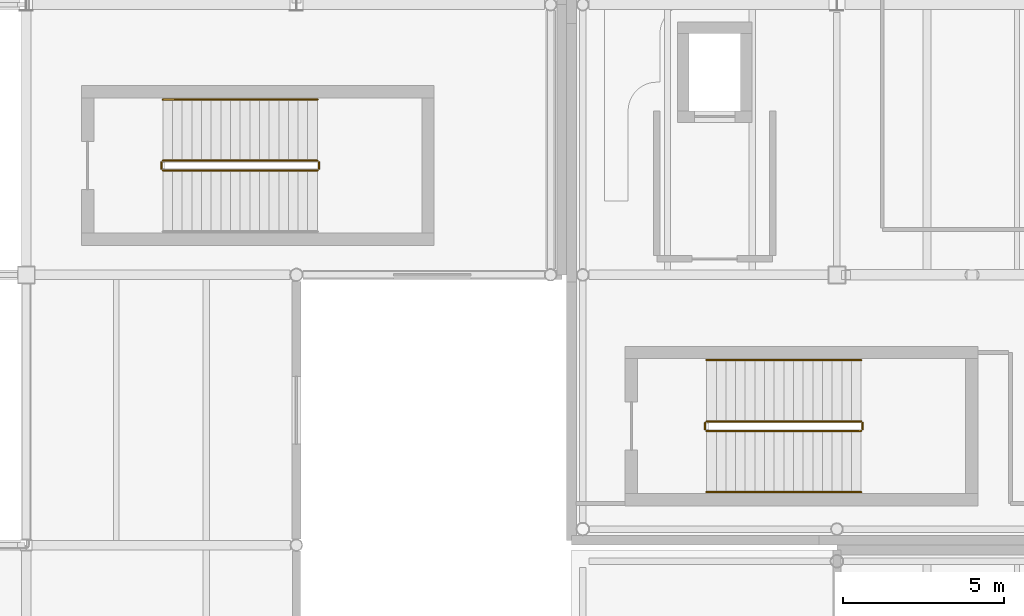
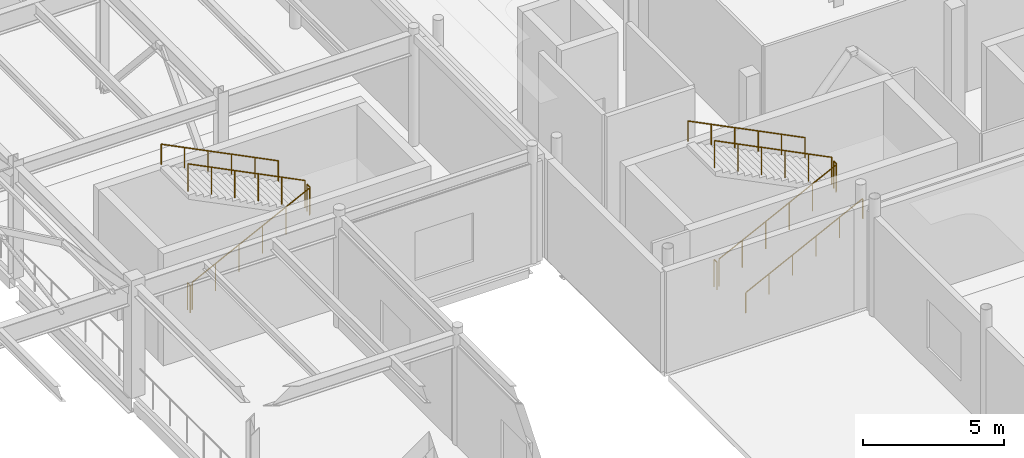
# One storey, part 93 of 103: 11 railings.
"""IFC4 building model written with IfcOpenShell, lengths in metres."""

from ifc_helpers import new_model, si_unit, direction, frame, origin, origin_2d, place, context, subcontext, project, spatial, circle, extrude, material, type_object, element, save


model = new_model("IFC4")

# Units and contexts
model_context = context("Model", 3, precision=1e-05, world=origin(), true_north=direction((0.0, 1.0)))
body_context = subcontext(model_context, "Body", "Model", "MODEL_VIEW")
ifc_project = project(units=[si_unit("LENGTHUNIT", "METRE"), si_unit("AREAUNIT", "SQUARE_METRE"), si_unit("VOLUMEUNIT", "CUBIC_METRE"), si_unit("PLANEANGLEUNIT", "RADIAN"), si_unit("MASSUNIT", "GRAM", prefix="KILO"), si_unit("THERMODYNAMICTEMPERATUREUNIT", "KELVIN")], contexts=[model_context])

# Site, building, storey
site_placement = place(None, origin())
site = spatial("IfcSite", under=ifc_project, at=site_placement, CompositionType="ELEMENT")
building_placement = place(site_placement, origin())
building = spatial("IfcBuilding", under=site, at=building_placement, Name="Lustrewick Department Store", CompositionType="ELEMENT")
storey_placement = place(building_placement, frame((0.0, 0.0, 16.5)))
storey = spatial("IfcBuildingStorey", under=building, at=storey_placement, Name="L04", CompositionType="ELEMENT", Elevation=16.5)

# Railings
ifc_material_1 = material(Name="Painted tubular steel stairwell guardrail", Category="steel")
railing_type_1 = type_object("IfcRailingType", Name="RL-STG", PredefinedType="GUARDRAIL", material=ifc_material_1)
railing_1_placement = place(storey_placement, frame((96.64990234375, 62.050048828125, 0.14990234375)))
element("IfcRailing", 1, at=railing_1_placement, inside=storey, type_object=railing_type_1, Name="L04 ST05 Stair Guard 1", PredefinedType="GUARDRAIL", context=body_context, shape_type="SweptSolid", body=[
    extrude(circle(Radius=0.02392578125, at=origin_2d()), frame((0.0, 0.0, 1.17578125), z_axis=(0.894418092416, 0.0, 0.447231792205), x_axis=(0.0, 1.0, 0.0)), (0.0, 0.0, 1.0), 5.36669921875),
    extrude(circle(Radius=0.02099609375, at=origin_2d()), origin(), (0.0, 0.0, 1.0), 1.15185546875),
    extrude(circle(Radius=0.02099609375, at=origin_2d()), frame((0.9599609375, 0.0, 0.47998046875)), (0.0, 0.0, 1.0), 1.15185546875),
    extrude(circle(Radius=0.02099609375, at=origin_2d()), frame((1.919921875, 0.0, 0.9599609375)), (0.0, 0.0, 1.0), 1.15185546875),
    extrude(circle(Radius=0.02099609375, at=origin_2d()), frame((2.880126953125, 0.0, 1.440185546875)), (0.0, 0.0, 1.0), 1.15185546875),
    extrude(circle(Radius=0.02099609375, at=origin_2d()), frame((3.840087890625, 0.0, 1.920166015625)), (0.0, 0.0, 1.0), 1.15185546875),
    extrude(circle(Radius=0.02099609375, at=origin_2d()), frame((4.800048828125, 0.0, 2.400146484375)), (0.0, 0.0, 1.0), 1.15185546875),
])
railing_2_placement = place(storey_placement, frame((101.5, 62.10009765625, 2.550048828125)))
element("IfcRailing", 2, at=railing_2_placement, inside=storey, type_object=railing_type_1, Name="L04 ST05 Stair Guard 2", PredefinedType="GUARDRAIL", context=body_context, shape_type="SweptSolid", body=[
    extrude(circle(Radius=0.02392578125, at=origin_2d()), frame((0.0, 0.0, 1.17578125), z_axis=(0.0, 1.0, 0.0), x_axis=(-1.0, 0.0, 0.0)), (0.0, 0.0, 1.0), 0.199951171875),
    extrude(circle(Radius=0.02099609375, at=origin_2d()), origin(), (0.0, 0.0, 1.0), 1.15185546875),
    extrude(circle(Radius=0.02099609375, at=origin_2d()), frame((0.0, 0.199951171875, 0.0)), (0.0, 0.0, 1.0), 1.15185546875),
])
railing_3_placement = place(storey_placement, frame((101.449951171875, 62.35009765625, 2.699951171875)))
element("IfcRailing", 3, at=railing_3_placement, inside=storey, type_object=railing_type_1, Name="L04 ST05 Stair Guard 3", PredefinedType="GUARDRAIL", context=body_context, shape_type="SweptSolid", body=[
    extrude(circle(Radius=0.02392578125, at=origin_2d()), frame((0.0, 0.0, 1.17578125), z_axis=(-0.894418092416, 0.0, 0.447231792205), x_axis=(0.0, -1.0, 0.0)), (0.0, 0.0, 1.0), 5.36669921875),
    extrude(circle(Radius=0.02099609375, at=origin_2d()), origin(), (0.0, 0.0, 1.0), 1.15185546875),
    extrude(circle(Radius=0.02099609375, at=origin_2d()), frame((-0.9599609375, 0.0, 0.47998046875)), (0.0, 0.0, 1.0), 1.15185546875),
    extrude(circle(Radius=0.02099609375, at=origin_2d()), frame((-1.919921875, 0.0, 0.9599609375)), (0.0, 0.0, 1.0), 1.15185546875),
    extrude(circle(Radius=0.02099609375, at=origin_2d()), frame((-2.880126953125, 0.0, 1.440185546875)), (0.0, 0.0, 1.0), 1.15185546875),
    extrude(circle(Radius=0.02099609375, at=origin_2d()), frame((-3.840087890625, 0.0, 1.920166015625)), (0.0, 0.0, 1.0), 1.15185546875),
    extrude(circle(Radius=0.02099609375, at=origin_2d()), frame((-4.800048828125, 0.0, 2.400146484375)), (0.0, 0.0, 1.0), 1.15185546875),
])
railing_4_placement = place(storey_placement, frame((96.60009765625, 62.10009765625, 0.0)))
element("IfcRailing", 4, at=railing_4_placement, inside=storey, type_object=railing_type_1, Name="L04 ST05 Stair Guard 4", PredefinedType="GUARDRAIL", context=body_context, shape_type="SweptSolid", body=[
    extrude(circle(Radius=0.02392578125, at=origin_2d()), frame((0.0, 0.0, 1.17578125), z_axis=(0.0, 1.0, 0.0), x_axis=(-1.0, 0.0, 0.0)), (0.0, 0.0, 1.0), 0.199951171875),
    extrude(circle(Radius=0.02099609375, at=origin_2d()), origin(), (0.0, 0.0, 1.0), 1.15185546875),
    extrude(circle(Radius=0.02099609375, at=origin_2d()), frame((0.0, 0.199951171875, 0.0)), (0.0, 0.0, 1.0), 1.15185546875),
])
railing_5_placement = place(storey_placement, frame((113.550048828125, 53.949951171875, 0.14990234375)))
element("IfcRailing", 5, at=railing_5_placement, inside=storey, type_object=railing_type_1, Name="L04 ST09 Stair Guard 1", PredefinedType="GUARDRAIL", context=body_context, shape_type="SweptSolid", body=[
    extrude(circle(Radius=0.02392578125, at=origin_2d()), frame((0.0, 0.0, 1.17578125), z_axis=(0.894418092416, 0.0, 0.447231792205), x_axis=(0.0, 1.0, 0.0)), (0.0, 0.0, 1.0), 5.36669921875),
    extrude(circle(Radius=0.02099609375, at=origin_2d()), origin(), (0.0, 0.0, 1.0), 1.15185546875),
    extrude(circle(Radius=0.02099609375, at=origin_2d()), frame((0.9599609375, 0.0, 0.47998046875)), (0.0, 0.0, 1.0), 1.15185546875),
    extrude(circle(Radius=0.02099609375, at=origin_2d()), frame((1.919921875, 0.0, 0.9599609375)), (0.0, 0.0, 1.0), 1.15185546875),
    extrude(circle(Radius=0.02099609375, at=origin_2d()), frame((2.880126953125, 0.0, 1.440185546875)), (0.0, 0.0, 1.0), 1.15185546875),
    extrude(circle(Radius=0.02099609375, at=origin_2d()), frame((3.840087890625, 0.0, 1.920166015625)), (0.0, 0.0, 1.0), 1.15185546875),
    extrude(circle(Radius=0.02099609375, at=origin_2d()), frame((4.800048828125, 0.0, 2.400146484375)), (0.0, 0.0, 1.0), 1.15185546875),
])
railing_6_placement = place(storey_placement, frame((118.39990234375, 54.0, 2.550048828125)))
element("IfcRailing", 6, at=railing_6_placement, inside=storey, type_object=railing_type_1, Name="L04 ST09 Stair Guard 2", PredefinedType="GUARDRAIL", context=body_context, shape_type="SweptSolid", body=[
    extrude(circle(Radius=0.02392578125, at=origin_2d()), frame((0.0, 0.0, 1.17578125), z_axis=(0.0, 1.0, 0.0), x_axis=(-1.0, 0.0, 0.0)), (0.0, 0.0, 1.0), 0.199951171875),
    extrude(circle(Radius=0.02099609375, at=origin_2d()), origin(), (0.0, 0.0, 1.0), 1.15185546875),
    extrude(circle(Radius=0.02099609375, at=origin_2d()), frame((0.0, 0.199951171875, 0.0)), (0.0, 0.0, 1.0), 1.15185546875),
])
railing_7_placement = place(storey_placement, frame((118.35009765625, 54.25, 2.699951171875)))
element("IfcRailing", 7, at=railing_7_placement, inside=storey, type_object=railing_type_1, Name="L04 ST09 Stair Guard 3", PredefinedType="GUARDRAIL", context=body_context, shape_type="SweptSolid", body=[
    extrude(circle(Radius=0.02392578125, at=origin_2d()), frame((0.0, 0.0, 1.17578125), z_axis=(-0.894418092416, 0.0, 0.447231792205), x_axis=(0.0, -1.0, 0.0)), (0.0, 0.0, 1.0), 5.36669921875),
    extrude(circle(Radius=0.02099609375, at=origin_2d()), origin(), (0.0, 0.0, 1.0), 1.15185546875),
    extrude(circle(Radius=0.02099609375, at=origin_2d()), frame((-0.9599609375, 0.0, 0.47998046875)), (0.0, 0.0, 1.0), 1.15185546875),
    extrude(circle(Radius=0.02099609375, at=origin_2d()), frame((-1.919921875, 0.0, 0.9599609375)), (0.0, 0.0, 1.0), 1.15185546875),
    extrude(circle(Radius=0.02099609375, at=origin_2d()), frame((-2.880126953125, 0.0, 1.440185546875)), (0.0, 0.0, 1.0), 1.15185546875),
    extrude(circle(Radius=0.02099609375, at=origin_2d()), frame((-3.840087890625, 0.0, 1.920166015625)), (0.0, 0.0, 1.0), 1.15185546875),
    extrude(circle(Radius=0.02099609375, at=origin_2d()), frame((-4.800048828125, 0.0, 2.400146484375)), (0.0, 0.0, 1.0), 1.15185546875),
])
railing_8_placement = place(storey_placement, frame((113.5, 54.0, 0.0)))
element("IfcRailing", 8, at=railing_8_placement, inside=storey, type_object=railing_type_1, Name="L04 ST09 Stair Guard 4", PredefinedType="GUARDRAIL", context=body_context, shape_type="SweptSolid", body=[
    extrude(circle(Radius=0.02392578125, at=origin_2d()), frame((0.0, 0.0, 1.17578125), z_axis=(0.0, 1.0, 0.0), x_axis=(-1.0, 0.0, 0.0)), (0.0, 0.0, 1.0), 0.199951171875),
    extrude(circle(Radius=0.02099609375, at=origin_2d()), origin(), (0.0, 0.0, 1.0), 1.15185546875),
    extrude(circle(Radius=0.02099609375, at=origin_2d()), frame((0.0, 0.199951171875, 0.0)), (0.0, 0.0, 1.0), 1.15185546875),
])
ifc_material_2 = material(Name="Brushed stainless steel wall handrail", Category="steel")
railing_type_2 = type_object("IfcRailingType", Name="RL-STH", PredefinedType="HANDRAIL", material=ifc_material_2)
railing_9_placement = place(storey_placement, frame((101.449951171875, 64.25, 2.699951171875)))
element("IfcRailing", 9, at=railing_9_placement, inside=storey, type_object=railing_type_2, Name="L04 ST05 Stair Handrail 2", PredefinedType="HANDRAIL", context=body_context, shape_type="SweptSolid", body=[
    extrude(circle(Radius=0.02392578125, at=origin_2d()), frame((0.0, 0.0, 0.8759765625), z_axis=(-0.894418092416, 0.0, 0.447231792205), x_axis=(0.0, -1.0, 0.0)), (0.0, 0.0, 1.0), 5.36669921875),
    extrude(circle(Radius=0.02099609375, at=origin_2d()), origin(), (0.0, 0.0, 1.0), 0.851806640625),
    extrude(circle(Radius=0.02099609375, at=origin_2d()), frame((-0.9599609375, 0.0, 0.47998046875)), (0.0, 0.0, 1.0), 0.851806640625),
    extrude(circle(Radius=0.02099609375, at=origin_2d()), frame((-1.919921875, 0.0, 0.9599609375)), (0.0, 0.0, 1.0), 0.851806640625),
    extrude(circle(Radius=0.02099609375, at=origin_2d()), frame((-2.880126953125, 0.0, 1.440185546875)), (0.0, 0.0, 1.0), 0.851806640625),
    extrude(circle(Radius=0.02099609375, at=origin_2d()), frame((-3.840087890625, 0.0, 1.920166015625)), (0.0, 0.0, 1.0), 0.851806640625),
    extrude(circle(Radius=0.02099609375, at=origin_2d()), frame((-4.800048828125, 0.0, 2.400146484375)), (0.0, 0.0, 1.0), 0.851806640625),
])
railing_10_placement = place(storey_placement, frame((113.550048828125, 52.050048828125, 0.14990234375)))
element("IfcRailing", 10, at=railing_10_placement, inside=storey, type_object=railing_type_2, Name="L04 ST09 Stair Handrail 1", PredefinedType="HANDRAIL", context=body_context, shape_type="SweptSolid", body=[
    extrude(circle(Radius=0.02392578125, at=origin_2d()), frame((0.0, 0.0, 0.8759765625), z_axis=(0.894418092416, 0.0, 0.447231792205), x_axis=(0.0, 1.0, 0.0)), (0.0, 0.0, 1.0), 5.36669921875),
    extrude(circle(Radius=0.02099609375, at=origin_2d()), origin(), (0.0, 0.0, 1.0), 0.851806640625),
    extrude(circle(Radius=0.02099609375, at=origin_2d()), frame((0.9599609375, 0.0, 0.47998046875)), (0.0, 0.0, 1.0), 0.851806640625),
    extrude(circle(Radius=0.02099609375, at=origin_2d()), frame((1.919921875, 0.0, 0.9599609375)), (0.0, 0.0, 1.0), 0.851806640625),
    extrude(circle(Radius=0.02099609375, at=origin_2d()), frame((2.880126953125, 0.0, 1.440185546875)), (0.0, 0.0, 1.0), 0.851806640625),
    extrude(circle(Radius=0.02099609375, at=origin_2d()), frame((3.840087890625, 0.0, 1.920166015625)), (0.0, 0.0, 1.0), 0.851806640625),
    extrude(circle(Radius=0.02099609375, at=origin_2d()), frame((4.800048828125, 0.0, 2.400146484375)), (0.0, 0.0, 1.0), 0.851806640625),
])
railing_11_placement = place(storey_placement, frame((118.35009765625, 56.14990234375, 2.699951171875)))
element("IfcRailing", 11, at=railing_11_placement, inside=storey, type_object=railing_type_2, Name="L04 ST09 Stair Handrail 2", PredefinedType="HANDRAIL", context=body_context, shape_type="SweptSolid", body=[
    extrude(circle(Radius=0.02392578125, at=origin_2d()), frame((0.0, 0.0, 0.8759765625), z_axis=(-0.894418092416, 0.0, 0.447231792205), x_axis=(0.0, -1.0, 0.0)), (0.0, 0.0, 1.0), 5.36669921875),
    extrude(circle(Radius=0.02099609375, at=origin_2d()), origin(), (0.0, 0.0, 1.0), 0.851806640625),
    extrude(circle(Radius=0.02099609375, at=origin_2d()), frame((-0.9599609375, 0.0, 0.47998046875)), (0.0, 0.0, 1.0), 0.851806640625),
    extrude(circle(Radius=0.02099609375, at=origin_2d()), frame((-1.919921875, 0.0, 0.9599609375)), (0.0, 0.0, 1.0), 0.851806640625),
    extrude(circle(Radius=0.02099609375, at=origin_2d()), frame((-2.880126953125, 0.0, 1.440185546875)), (0.0, 0.0, 1.0), 0.851806640625),
    extrude(circle(Radius=0.02099609375, at=origin_2d()), frame((-3.840087890625, 0.0, 1.920166015625)), (0.0, 0.0, 1.0), 0.851806640625),
    extrude(circle(Radius=0.02099609375, at=origin_2d()), frame((-4.800048828125, 0.0, 2.400146484375)), (0.0, 0.0, 1.0), 0.851806640625),
])

save(model, "model.ifc")
